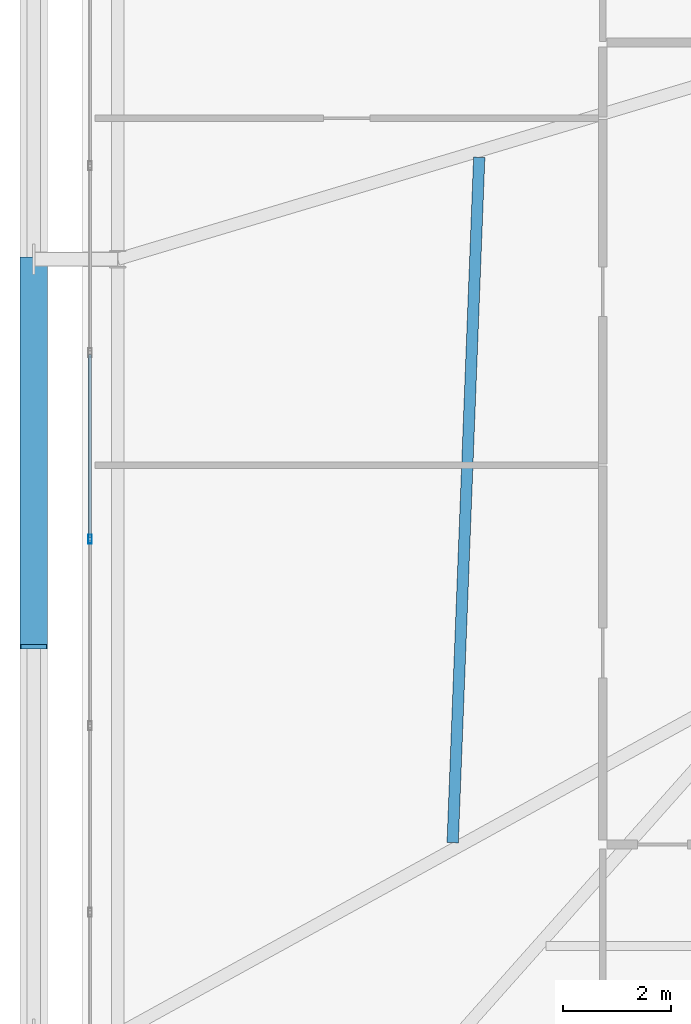
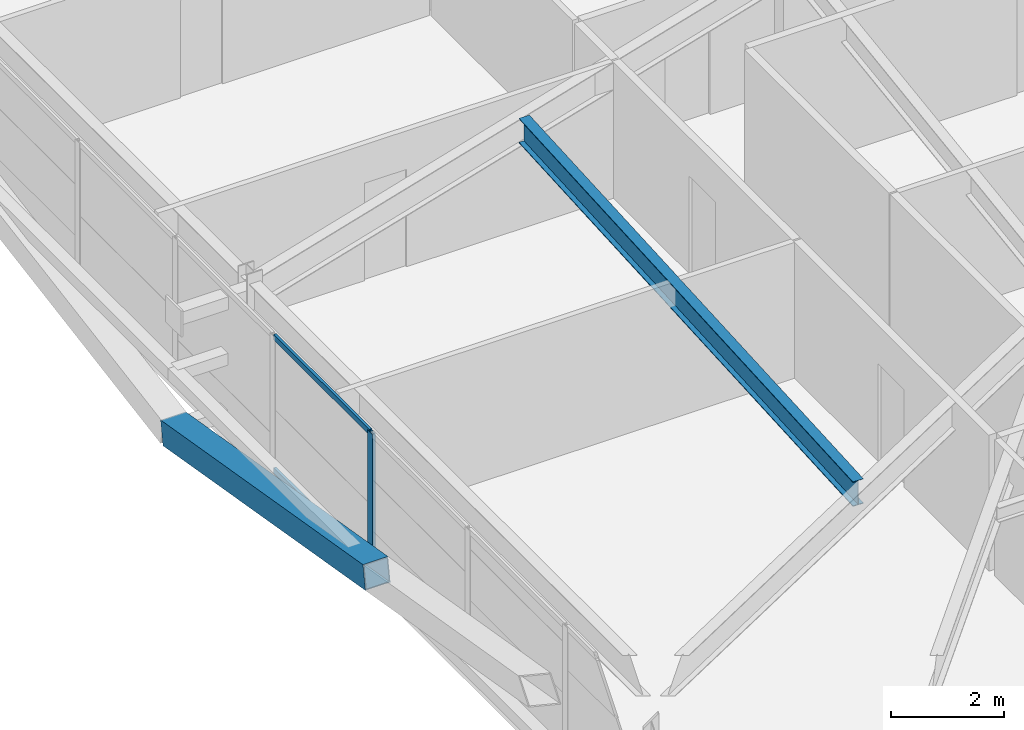
# One storey, part 10 of 59: 4 members, 1 beam, 1 element without a shape of its own.
"""IFC4 building model written with IfcOpenShell, lengths in metres."""

from ifc_helpers import new_model, si_unit, direction, frame, origin, origin_2d, place, context, subcontext, project, spatial, hollow_rectangle, i_section, extrude, source, transform, mapped, material, layer, layer_set, material_profile, profile_set, type_object, element, aggregate, save


model = new_model("IFC4")

# Units and contexts
model_context = context("Model", 3, precision=1e-05, world=origin(), true_north=direction((0.0, 1.0)))
body_context = subcontext(model_context, "Body", "Model", "MODEL_VIEW")
ifc_project = project(units=[si_unit("LENGTHUNIT", "METRE"), si_unit("AREAUNIT", "SQUARE_METRE"), si_unit("VOLUMEUNIT", "CUBIC_METRE"), si_unit("PLANEANGLEUNIT", "RADIAN"), si_unit("MASSUNIT", "GRAM", prefix="KILO")], contexts=[model_context])

# Site, building, storey
site_placement = place(None, origin())
site = spatial("IfcSite", under=ifc_project, at=site_placement, CompositionType="ELEMENT")
building_placement = place(site_placement, origin())
building = spatial("IfcBuilding", under=site, at=building_placement, Name="Taldren Reach Tower", CompositionType="ELEMENT")
storey_placement = place(building_placement, frame((0.0, 0.0, 45.14990234375)))
storey = spatial("IfcBuildingStorey", under=building, at=storey_placement, Name="L13", CompositionType="ELEMENT", Elevation=45.14990234375)

# Beam
ifc_material_1 = material(Name="Steel Gr 350 (350PLUS)", Category="steel")
ifc_material_profile_1 = material_profile(ifc_material_1, i_section(OverallWidth=0.208984375, OverallDepth=0.532958984375, WebThickness=0.01025390625, FlangeThickness=0.015625, at=origin_2d()), Name="530UB92.4")
ifc_profile_set_1 = profile_set([ifc_material_profile_1], Name="Steel Gr 350 (350PLUS)")
beam_type = type_object("IfcBeamType", Name="BM-UB530A", PredefinedType="BEAM", material=ifc_profile_set_1)
shared_shape_1 = source(origin(), body_context, "Body", "SweptSolid", [
    extrude(i_section(OverallWidth=0.208984375, OverallDepth=0.532958984375, WebThickness=0.01025390625, FlangeThickness=0.015625, at=origin_2d()), origin(), (0.0, 0.0, 1.0), 12.65625),
])
beam_placement = place(storey_placement, frame((11.830078125, 9.23291015625, 2.66357421875), z_axis=(0.0387346395, 0.99924953225, 0.0), x_axis=(-0.99924953225, 0.0387346395, 0.0)))
element("IfcBeam", 1, at=beam_placement, inside=storey, type_object=beam_type, Name="Secondary floor beam B1 J6 L13", PredefinedType="BEAM", context=body_context, shape_type="MappedRepresentation", body=[
    mapped(shared_shape_1, transform((0.0, 0.0, 0.0), scale=1.0)),
])

# Member
ifc_material_2 = material(Name="Steel Gr 450 (C450L0)", Category="steel")
ifc_material_profile_2 = material_profile(ifc_material_2, hollow_rectangle(XDim=0.510009765625, YDim=0.510009765625, WallThickness=0.02001953125, at=origin_2d()), Name="510x510x20.0SHS")
ifc_profile_set_2 = profile_set([ifc_material_profile_2], Name="Steel Gr 450 (C450L0)")
member_type_1 = type_object("IfcMemberType", Name="MB-EXO508", PredefinedType="BRACE", material=ifc_profile_set_2)
shared_shape_2 = source(origin(), body_context, "Body", "SweptSolid", [
    extrude(hollow_rectangle(XDim=0.510009765625, YDim=0.510009765625, WallThickness=0.02001953125, at=origin_2d()), origin(), (0.0, 0.0, 1.0), 7.25244140625),
])
member_1_placement = place(storey_placement, frame((4.10009765625, 20.0, 0.22021484375), z_axis=(0.0, -0.985870415536, 0.167509772168), x_axis=(1.0, 0.0, 0.0)))
element("IfcMember", 2, at=member_1_placement, inside=storey, type_object=member_type_1, Name="Exoskeleton Diagrid Brace B1-W1 L13", PredefinedType="BRACE", context=body_context, shape_type="MappedRepresentation", body=[
    mapped(shared_shape_2, transform((0.0, 0.0, 0.0), scale=1.0)),
])

# Curtain wall, members
ifc_material_3 = material(Name="Aluminium and Low-E Glass Unitised System", Category="aluminium")
ifc_layer = layer(ifc_material_3, 0.159912109375)
ifc_layer_set = layer_set([ifc_layer], Name="Aluminium and Low-E Glass Unitised System")
curtain_wall_type = type_object("IfcCurtainWallType", Name="CW-SYS-2", PredefinedType="NOTDEFINED", material=ifc_layer_set)
curtain_wall_placement = place(storey_placement, origin())
curtain_wall = element("IfcCurtainWall", 3, at=curtain_wall_placement, inside=storey, type_object=curtain_wall_type, Name="Unitised curtain wall CW-L13-W", PredefinedType="NOTDEFINED")
ifc_material_4 = material(Name="Anodised Aluminium 6063-T6", Category="aluminium")
ifc_material_profile_3 = material_profile(ifc_material_4, hollow_rectangle(XDim=0.054931640625, YDim=0.1201171875, WallThickness=0.0029296875, at=origin_2d()), Name="ALU-120x55x3RHS")
ifc_profile_set_3 = profile_set([ifc_material_profile_3], Name="Anodised Aluminium 6063-T6")
member_type_2 = type_object("IfcMemberType", Name="CW-TRN-135", PredefinedType="USERDEFINED", material=ifc_profile_set_3)
shared_shape_3 = source(origin(), body_context, "Body", "SweptSolid", [
    extrude(hollow_rectangle(XDim=0.054931640625, YDim=0.1201171875, WallThickness=0.0029296875, at=origin_2d()), origin(), (0.0, 0.0, 1.0), 3.379638671875),
])
member_2_placement = place(storey_placement, frame((5.139892578125, 18.245361328125, 0.027587890625), z_axis=(0.0, -1.0, 0.0), x_axis=(1.0, 0.0, 0.0)))
member_2 = element("IfcMember", 4, at=member_2_placement, type_object=member_type_2, Name="CW-2 transom 6.1", ObjectType="TRANSOM", PredefinedType="USERDEFINED", context=body_context, shape_type="MappedRepresentation", body=[
    mapped(shared_shape_3, transform((0.0, 0.0, 0.0), scale=1.0)),
])
member_3_placement = place(storey_placement, frame((5.139892578125, 18.245361328125, 2.902587890625), z_axis=(0.0, -1.0, 0.0), x_axis=(1.0, 0.0, 0.0)))
member_3 = element("IfcMember", 5, at=member_3_placement, type_object=member_type_2, Name="CW-2 transom 6.2", ObjectType="TRANSOM", PredefinedType="USERDEFINED", context=body_context, shape_type="MappedRepresentation", body=[
    mapped(shared_shape_3, transform((0.0, 0.0, 0.0), scale=1.0)),
])
ifc_material_profile_4 = material_profile(ifc_material_4, hollow_rectangle(XDim=0.06494140625, YDim=0.1650390625, WallThickness=0.00390625, at=origin_2d()), Name="ALU-165x65x4RHS")
ifc_profile_set_4 = profile_set([ifc_material_profile_4], Name="Anodised Aluminium 6063-T6")
member_type_3 = type_object("IfcMemberType", Name="CW-MUL-165", PredefinedType="MULLION", material=ifc_profile_set_4)
shared_shape_4 = source(origin(), body_context, "Body", "SweptSolid", [
    extrude(hollow_rectangle(XDim=0.06494140625, YDim=0.1650390625, WallThickness=0.00390625, at=origin_2d()), origin(), (0.0, 0.0, 1.0), 2.93017578125),
])
member_4_placement = place(storey_placement, frame((5.139892578125, 14.833251953125, 0.0), z_axis=(0.0, 0.0, 1.0), x_axis=(1.0, 0.0, 0.0)))
member_4 = element("IfcMember", 6, at=member_4_placement, type_object=member_type_3, Name="CW-2 mullion 7", PredefinedType="MULLION", context=body_context, shape_type="MappedRepresentation", body=[
    mapped(shared_shape_4, transform((0.0, 0.0, 0.0), scale=1.0)),
])
aggregate(curtain_wall, [member_4, member_2, member_3])

save(model, "model.ifc")
